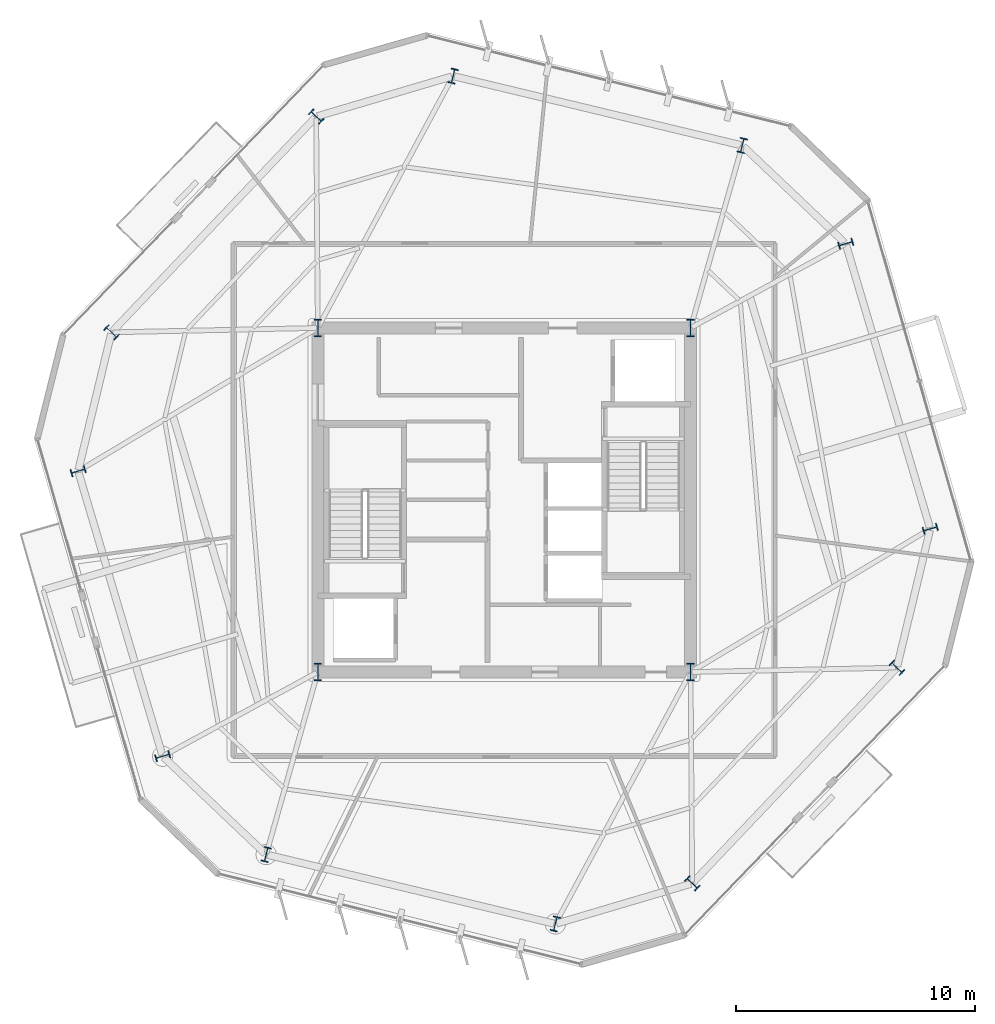
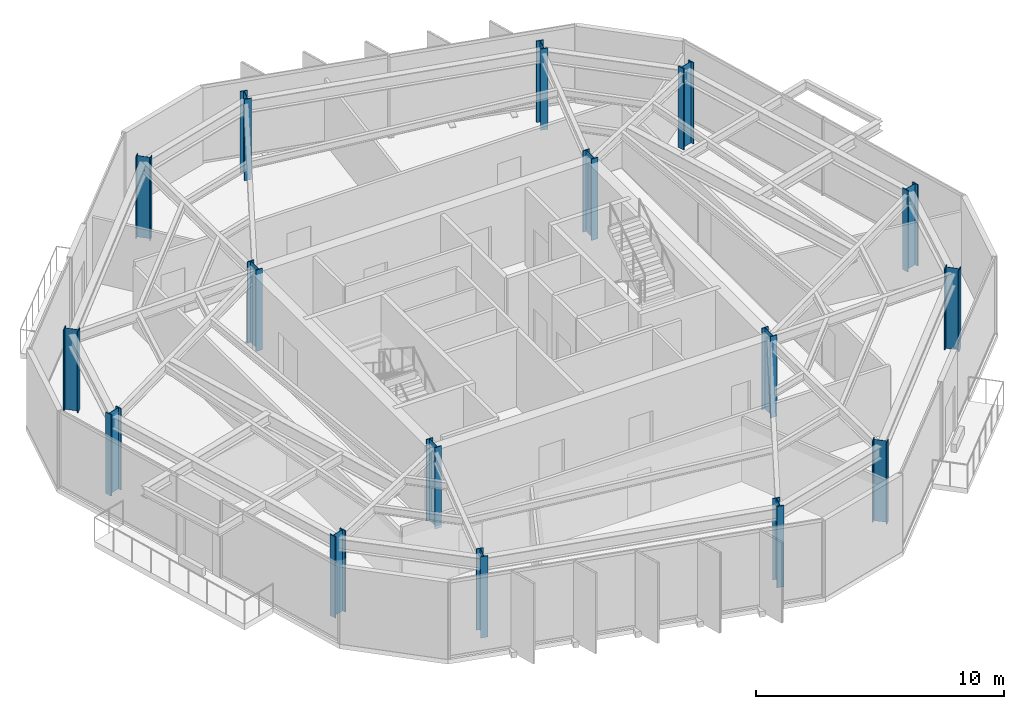
# One storey, part 1 of 11: 16 columns.
"""IFC4 building model written with IfcOpenShell, lengths in metres."""

import ifcopenshell
import ifcopenshell.guid

model = None  # the IFC model being written
_history = None  # IfcOwnerHistory: only IFC2X3 demands one
_inside = {}  # id of a spatial element -> (the spatial element, [elements in it])
_under = {}  # id of a project, library or spatial element -> (it, [spatial elements below it])
_declared = {}  # id of a project -> (the project, [libraries it declares])
_typed = {}  # id of a type object -> (the type object, [elements of that type])
_made_of = {}  # id of a material, layer set ... -> (it, [elements and type objects made of it])


def new_model(schema):
    """Start an empty IFC model of exactly this schema.

    Asked for "IFC4X3", IfcOpenShell would pick the latest addendum, in which some entities
    have other attributes; the version numbers below select the first issue.
    IFC2X3 requires an IfcOwnerHistory on every rooted entity: one is made here for all.
    """
    global model, _history
    if schema == "IFC4X3":
        model = ifcopenshell.file(schema_version=(4, 3, 0, 0))
    else:
        model = ifcopenshell.file(schema=schema)
    _inside.clear()
    _under.clear()
    _declared.clear()
    _typed.clear()
    _made_of.clear()
    _history = None
    if model.schema == "IFC2X3":
        org = make("IfcOrganization", Name="unknown")
        user = make(
            "IfcPersonAndOrganization",
            ThePerson=make("IfcPerson", FamilyName="unknown"),
            TheOrganization=org,
        )
        app = make(
            "IfcApplication",
            ApplicationDeveloper=org,
            Version="unknown",
            ApplicationFullName="unknown",
            ApplicationIdentifier="unknown",
        )
        _history = make(
            "IfcOwnerHistory",
            OwningUser=user,
            OwningApplication=app,
            ChangeAction="ADDED",
            CreationDate=0,
        )
    return model


def make(cls, **values):
    """One entity of the class cls with the attributes given. An attribute that is None is left unset."""
    return model.create_entity(
        cls, **{name: value for name, value in values.items() if value is not None}
    )


def rooted(cls, **values):
    """An entity with a GlobalId (a new one), such as an element, a storey or a relation."""
    return make(cls, GlobalId=ifcopenshell.guid.new(), OwnerHistory=_history, **values)


def si_unit(unit_type, name, prefix=None):
    """IfcSIUnit, for example si_unit("LENGTHUNIT", "METRE", prefix="MILLI")."""
    return make("IfcSIUnit", UnitType=unit_type, Prefix=prefix, Name=name)


def assignment(units):
    """IfcUnitAssignment: the units of a project."""
    return None if units is None else make("IfcUnitAssignment", Units=units)


def point(xyz):
    """IfcCartesianPoint."""
    return None if xyz is None else make("IfcCartesianPoint", Coordinates=xyz)


def direction(xyz):
    """IfcDirection."""
    return None if xyz is None else make("IfcDirection", DirectionRatios=xyz)


def frame(location, z_axis=None, x_axis=None):
    """IfcAxis2Placement3D, a coordinate frame: its origin and axes. An axis left out is left unset."""
    return make(
        "IfcAxis2Placement3D",
        Location=point(location),
        Axis=direction(z_axis),
        RefDirection=direction(x_axis),
    )


def frame_2d(location, x_axis=None):
    """IfcAxis2Placement2D, a coordinate frame in the plane: its origin and x axis."""
    return make(
        "IfcAxis2Placement2D", Location=point(location), RefDirection=direction(x_axis)
    )


def origin():
    """The frame at (0, 0, 0) with its axes left unset."""
    return frame((0.0, 0.0, 0.0))


def origin_2d():
    """The frame at (0, 0) in the plane with its x axis left unset."""
    return frame_2d((0.0, 0.0))


def place(relative_to, where):
    """IfcLocalPlacement: puts the frame where relative to a parent placement (None: the world)."""
    return make(
        "IfcLocalPlacement", PlacementRelTo=relative_to, RelativePlacement=where
    )


def context(
    kind, dimensions, precision=None, world=None, true_north=None, identifier=None
):
    """IfcGeometricRepresentationContext, for example the 3D "Model" context."""
    return make(
        "IfcGeometricRepresentationContext",
        ContextIdentifier=identifier,
        ContextType=kind,
        CoordinateSpaceDimension=dimensions,
        Precision=precision,
        WorldCoordinateSystem=world,
        TrueNorth=true_north,
    )


def subcontext(parent, identifier, kind, view, scale=None):
    """IfcGeometricRepresentationSubContext, for example "Body" below "Model"."""
    return make(
        "IfcGeometricRepresentationSubContext",
        ContextIdentifier=identifier,
        ContextType=kind,
        ParentContext=parent,
        TargetScale=scale,
        TargetView=view,
    )


def project(units=None, contexts=None):
    """IfcProject with its units and contexts."""
    return rooted(
        "IfcProject",
        Name="project",
        RepresentationContexts=contexts,
        UnitsInContext=assignment(units),
    )


def spatial(cls, under=None, at=None, **own):
    """A site, building, storey or space (cls), placed at a placement, below another one or the project."""
    s = rooted(cls, ObjectPlacement=at, **own)
    if under is not None:
        _under.setdefault(under.id(), (under, []))[1].append(s)
    return s


def profile(cls, at=None, kind="AREA", **sizes):
    """A parametric profile (cls). Its sizes go by their IFC names, for example OverallWidth=200.0."""
    return make(cls, ProfileType=kind, Position=at, **sizes)


def i_section(**sizes):
    """IfcIShapeProfileDef."""
    return profile("IfcIShapeProfileDef", **sizes)


def extrude(swept, where, along, depth):
    """IfcExtrudedAreaSolid: the profile swept, set in the frame where, extruded along a direction by depth."""
    return make(
        "IfcExtrudedAreaSolid",
        SweptArea=swept,
        Position=where,
        ExtrudedDirection=direction(along),
        Depth=depth,
    )


def shape(context_of_items, identifier, shape_type, items):
    """IfcShapeRepresentation: the items that make up one representation, for example the "Body"."""
    return make(
        "IfcShapeRepresentation",
        ContextOfItems=context_of_items,
        RepresentationIdentifier=identifier,
        RepresentationType=shape_type,
        Items=items,
    )


def material(Name=None, Category=None):
    """IfcMaterial."""
    return make("IfcMaterial", Name=Name, Category=Category)


def material_profile(
    of_material, cross_section, Name=None, Category=None, Priority=None
):
    """IfcMaterialProfile: a cross section and its material."""
    return make(
        "IfcMaterialProfile",
        Name=Name,
        Material=of_material,
        Profile=cross_section,
        Priority=Priority,
        Category=Category,
    )


def profile_set(profiles, Name=None, composite=None):
    """IfcMaterialProfileSet."""
    return make(
        "IfcMaterialProfileSet",
        Name=Name,
        MaterialProfiles=profiles,
        CompositeProfile=composite,
    )


def made_of(thing, what):
    """Note that an element or type object is made of a material, layer set ...; save() writes the relation."""
    if what is not None:
        _made_of.setdefault(what.id(), (what, []))[1].append(thing)
    return thing


def type_object(cls, material=None, **own):
    """A type object (cls), such as IfcWallType, which elements share."""
    return made_of(rooted(cls, **own), material)


def element(
    cls,
    number,
    at=None,
    inside=None,
    cuts=None,
    type_object=None,
    material=None,
    context=None,
    identifier="Body",
    shape_type=None,
    held_by="IfcProductDefinitionShape",
    body=None,
    shapes=None,
    **own,
):
    """One element of the class cls, such as IfcWall. Its Tag is "e" and its number.

    at: its placement. inside: the storey or other place that contains it. cuts: it is an
    opening in that element (IfcRelVoidsElement). A single representation is given by context,
    identifier, shape_type and body (its items); several are given by shapes. held_by: the class
    of the entity that holds the representations. save() writes the other relations.
    """
    e = rooted(cls, Tag="e%d" % number, ObjectPlacement=at, **own)
    if body is not None:
        shapes = [shape(context, identifier, shape_type, body)]
    if shapes is not None:
        e.Representation = make(held_by, Representations=shapes)
    if inside is not None:
        _inside.setdefault(inside.id(), (inside, []))[1].append(e)
    if cuts is not None:
        rooted(
            "IfcRelVoidsElement", RelatingBuildingElement=cuts, RelatedOpeningElement=e
        )
    if type_object is not None:
        _typed.setdefault(type_object.id(), (type_object, []))[1].append(e)
    return made_of(e, material)


def aggregate(whole, parts):
    """IfcRelAggregates: a whole, such as a stair, and the parts it consists of."""
    return rooted("IfcRelAggregates", RelatingObject=whole, RelatedObjects=parts)


def save(model, path):
    """Write the relations noted so far, then the file.

    IfcRelAggregates (storeys below a building ...), IfcRelContainedInSpatialStructure (elements
    in a storey), IfcRelDefinesByType, IfcRelAssociatesMaterial and IfcRelDeclares: one each for
    every whole, place, type object, material and project.
    """
    for whole, parts in _under.values():
        aggregate(whole, parts)
    for where, things in _inside.values():
        rooted(
            "IfcRelContainedInSpatialStructure",
            RelatedElements=things,
            RelatingStructure=where,
        )
    for kind, things in _typed.values():
        rooted("IfcRelDefinesByType", RelatedObjects=things, RelatingType=kind)
    for what, things in _made_of.values():
        rooted("IfcRelAssociatesMaterial", RelatedObjects=things, RelatingMaterial=what)
    for by, libraries in _declared.values():
        rooted("IfcRelDeclares", RelatingContext=by, RelatedDefinitions=libraries)
    model.write(path)


model = new_model("IFC4")

# Units and contexts
model_context = context("Model", 3, precision=1e-05, world=origin(), true_north=direction((0.0, 1.0)))
body_context = subcontext(model_context, "Body", "Model", "MODEL_VIEW")
ifc_project = project(units=[si_unit("LENGTHUNIT", "METRE"), si_unit("AREAUNIT", "SQUARE_METRE"), si_unit("VOLUMEUNIT", "CUBIC_METRE"), si_unit("PLANEANGLEUNIT", "RADIAN"), si_unit("MASSUNIT", "GRAM", prefix="KILO")], contexts=[model_context])

# Site, building, storey
site_placement = place(None, origin())
site = spatial("IfcSite", under=ifc_project, at=site_placement, CompositionType="ELEMENT")
building_placement = place(site_placement, origin())
building = spatial("IfcBuilding", under=site, at=building_placement, Name="Kranzbogen Civic Tower", CompositionType="ELEMENT")
storey_placement = place(building_placement, frame((0.0, 0.0, 208.800048828125)))
storey = spatial("IfcBuildingStorey", under=building, at=storey_placement, Name="L50", CompositionType="ELEMENT", Elevation=208.800048828125)

# Columns
ifc_material_1 = material(Name="Steel S355", Category="steel")
ifc_material_profile_1 = material_profile(ifc_material_1, i_section(OverallWidth=0.304931640625, OverallDepth=0.6201171875, WebThickness=0.02099609375, FlangeThickness=0.0400390625, at=origin_2d()), Name="HEM 600")
ifc_profile_set_1 = profile_set([ifc_material_profile_1], Name="Steel S355")
column_type_1 = type_object("IfcColumnType", Name="Structural Column HEM 600", PredefinedType="COLUMN", material=ifc_profile_set_1)
for number, where, z_axis, x_axis, name in (
    (1, (34.9609375, 39.8349609375, 0.0), (0.0, 0.0, 1.0), (-0.972369920398, 0.233445363856, 0.0), "L50 tower perimeter tube column 01"),
    (2, (22.860107421875, 42.739990234375, 0.0), (0.0, 0.0, 1.0), (-0.972369920398, 0.233445363856, 0.0), "L50 tower perimeter tube column 02"),
    (3, (17.133056640625, 41.0439453125, 0.0), (0.0, 0.0, 1.0), (0.688354575694, 0.725374371012, 0.0), "L50 tower perimeter tube column 03"),
    (4, (8.56689453125, 32.01611328125, 0.0), (0.0, 0.0, 1.0), (0.688354575694, 0.725374371012, 0.0), "L50 tower perimeter tube column 04"),
    (5, (7.172119140625, 26.208984375, 0.0), (0.0, 0.0, 1.0), (-0.284015344704, 0.958819734868, 0.0), "L50 tower perimeter tube column 05"),
    (6, (10.70703125, 14.27587890625, 0.0), (0.0, 0.0, 1.0), (-0.284015344704, 0.958819734868, 0.0), "L50 tower perimeter tube column 06"),
    (7, (15.0390625, 10.1650390625, 0.0), (0.0, 0.0, 1.0), (-0.972369920398, 0.233445363856, 0.0), "L50 tower perimeter tube column 07"),
    (8, (27.139892578125, 7.260009765625, 0.0), (0.0, 0.0, 1.0), (-0.972369920398, 0.233445363856, 0.0), "L50 tower perimeter tube column 08"),
    (9, (32.866943359375, 8.9560546875, 0.0), (0.0, 0.0, 1.0), (0.688354575694, 0.725374371012, 0.0), "L50 tower perimeter tube column 09"),
    (10, (41.43310546875, 17.98388671875, 0.0), (0.0, 0.0, 1.0), (0.688354575694, 0.725374371012, 0.0), "L50 tower perimeter tube column 10"),
    (11, (42.827880859375, 23.791015625, 0.0), (0.0, 0.0, 1.0), (-0.284015344704, 0.958819734868, 0.0), "L50 tower perimeter tube column 11"),
    (12, (39.29296875, 35.72412109375, 0.0), (0.0, 0.0, 1.0), (-0.284015344704, 0.958819734868, 0.0), "L50 tower perimeter tube column 12"),
):
    element("IfcColumn", number, at=place(storey_placement, frame(where, z_axis=z_axis, x_axis=x_axis)), inside=storey, type_object=column_type_1, Name=name, PredefinedType="COLUMN", context=body_context, shape_type="SweptSolid", body=[
        extrude(i_section(OverallWidth=0.304931640625, OverallDepth=0.6201171875, WebThickness=0.02099609375, FlangeThickness=0.0400390625, at=origin_2d()), origin(), (0.0, 0.0, 1.0), 4.0),
    ])
ifc_material_2 = material(Name="Steel S460", Category="steel")
ifc_material_profile_2 = material_profile(ifc_material_2, i_section(OverallWidth=0.303955078125, OverallDepth=0.716064453125, WebThickness=0.02099609375, FlangeThickness=0.0400390625, at=origin_2d()), Name="HEM 700")
ifc_profile_set_2 = profile_set([ifc_material_profile_2], Name="Steel S460")
column_type_2 = type_object("IfcColumnType", Name="Structural Column HEM 700", PredefinedType="COLUMN", material=ifc_profile_set_2)
for number, where, z_axis, x_axis, name in (
    (13, (17.199951171875, 17.800048828125, 0.0), (0.0, 0.0, 1.0), (1.0, 0.0, 0.0), "L50 composite core corner column 1"),
    (14, (32.800048828125, 17.800048828125, 0.0), (0.0, 0.0, 1.0), (1.0, 0.0, 0.0), "L50 composite core corner column 2"),
    (15, (32.800048828125, 32.199951171875, 0.0), (0.0, 0.0, 1.0), (1.0, 0.0, 0.0), "L50 composite core corner column 3"),
    (16, (17.199951171875, 32.199951171875, 0.0), (0.0, 0.0, 1.0), (1.0, 0.0, 0.0), "L50 composite core corner column 4"),
):
    element("IfcColumn", number, at=place(storey_placement, frame(where, z_axis=z_axis, x_axis=x_axis)), inside=storey, type_object=column_type_2, Name=name, PredefinedType="COLUMN", context=body_context, shape_type="SweptSolid", body=[
        extrude(i_section(OverallWidth=0.303955078125, OverallDepth=0.716064453125, WebThickness=0.02099609375, FlangeThickness=0.0400390625, at=origin_2d()), origin(), (0.0, 0.0, 1.0), 4.0),
    ])

save(model, "model.ifc")
